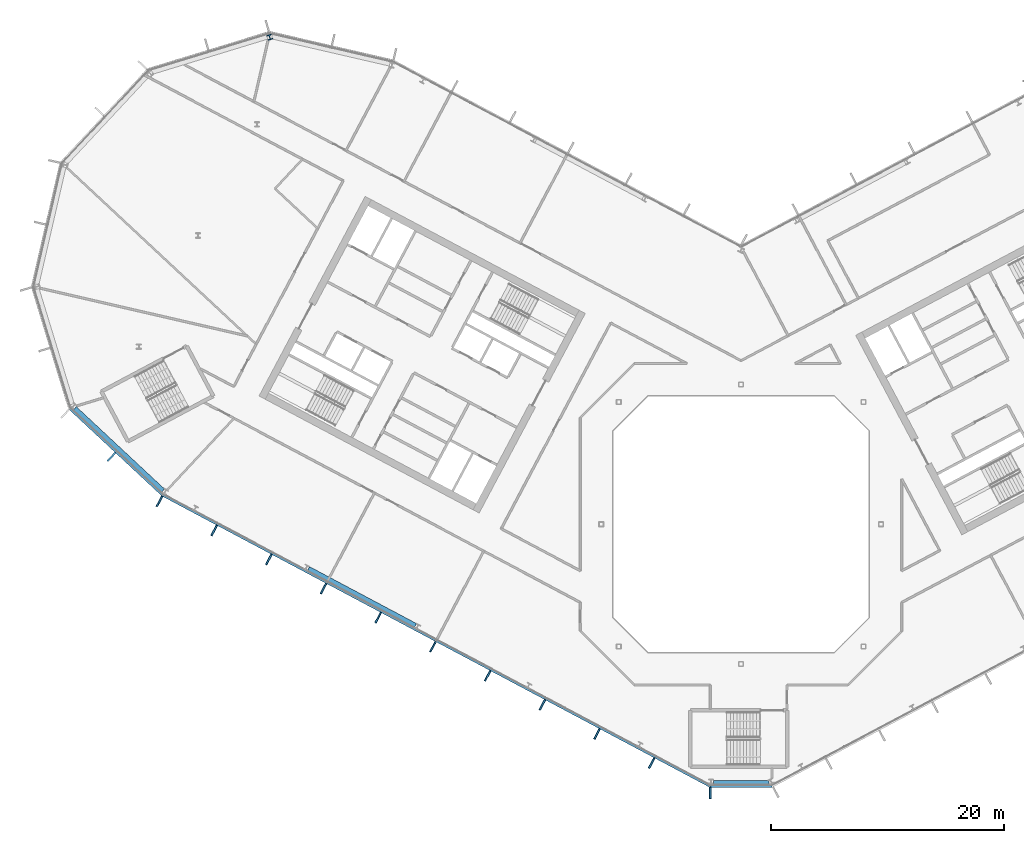
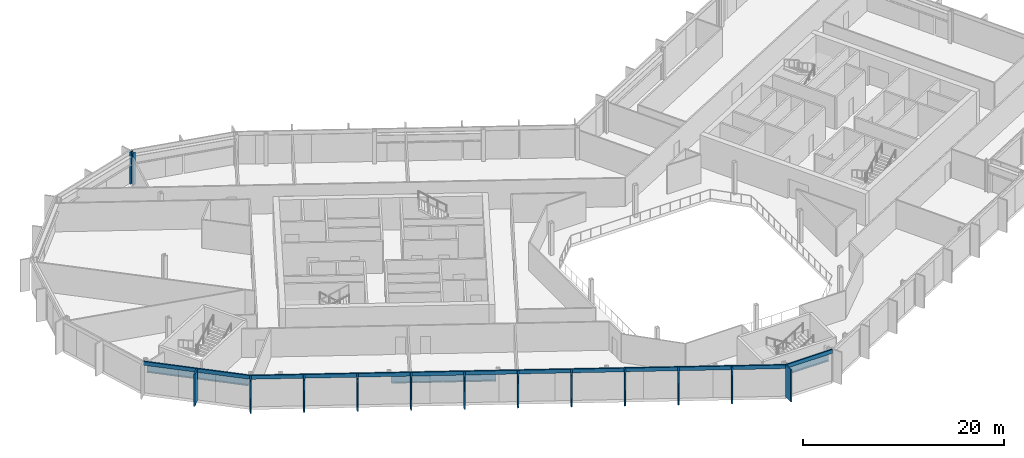
# One storey, part 8 of 26: 15 members, 3 beams, 1 column, 3 elements without a shape of their own.
"""IFC4 building model written with IfcOpenShell, lengths in metres."""

from ifc_helpers import new_model, si_unit, direction, frame, origin, origin_2d, place, context, subcontext, project, spatial, rectangle, i_section, extrude, material, layer, layer_set, material_profile, profile_set, type_object, element, aggregate, save


model = new_model("IFC4")

# Units and contexts
model_context = context("Model", 3, precision=1e-05, world=origin(), true_north=direction((0.0, 1.0)))
body_context = subcontext(model_context, "Body", "Model", "MODEL_VIEW")
ifc_project = project(units=[si_unit("LENGTHUNIT", "METRE"), si_unit("AREAUNIT", "SQUARE_METRE"), si_unit("VOLUMEUNIT", "CUBIC_METRE"), si_unit("PLANEANGLEUNIT", "RADIAN"), si_unit("MASSUNIT", "GRAM", prefix="KILO")], contexts=[model_context])

# Site, building, storey
site_placement = place(None, origin())
site = spatial("IfcSite", under=ifc_project, at=site_placement, CompositionType="ELEMENT")
building_placement = place(site_placement, origin())
building = spatial("IfcBuilding", under=site, at=building_placement, Name="Cormorant Relay Tower", CompositionType="ELEMENT")
storey_placement = place(building_placement, frame((0.0, 0.0, 248.10009765625)))
storey = spatial("IfcBuildingStorey", under=building, at=storey_placement, Name="L55", CompositionType="ELEMENT", Elevation=248.10009765625)

# Column
ifc_material_1 = material(Name="Steel ASTM A992 (Fy 345 MPa)", Category="steel")
ifc_material_profile_1 = material_profile(ifc_material_1, i_section(OverallWidth=0.41162109375, OverallDepth=0.434326171875, WebThickness=0.035888671875, FlangeThickness=0.057373046875, FilletRadius=0.01513671875, at=origin_2d()), Name="W360x463")
ifc_profile_set_1 = profile_set([ifc_material_profile_1], Name="Steel ASTM A992 (Fy 345 MPa)")
column_type = type_object("IfcColumnType", Name="Column W360x463", PredefinedType="COLUMN", material=ifc_profile_set_1)
column_placement = place(storey_placement, frame((-40.455078125, 41.803955078125, 0.0), z_axis=(0.0, 0.0, 1.0), x_axis=(-0.956304755963, -0.292371704723, 0.0)))
element("IfcColumn", 1, at=column_placement, inside=storey, type_object=column_type, Name="Column L55-045", PredefinedType="COLUMN", context=body_context, shape_type="SweptSolid", body=[
    extrude(i_section(OverallWidth=0.41162109375, OverallDepth=0.434326171875, WebThickness=0.035888671875, FlangeThickness=0.057373046875, FilletRadius=0.01513671875, at=origin_2d()), origin(), (0.0, 0.0, 1.0), 3.89990234375),
])

# Curtain wall, member
ifc_material_2 = material(Name="Aluminium 6063-T6 anodised bronze", Category="aluminium")
ifc_layer = layer(ifc_material_2, 0.199951171875)
ifc_layer_set = layer_set([ifc_layer], Name="CW1 unitised bronze curtain wall with vertical fins")
curtain_wall_type = type_object("IfcCurtainWallType", Name="CW1 unitised bronze curtain wall with vertical fins", PredefinedType="NOTDEFINED", material=ifc_layer_set)
curtain_wall_1_placement = place(storey_placement, origin())
curtain_wall_1 = element("IfcCurtainWall", 2, at=curtain_wall_1_placement, inside=storey, type_object=curtain_wall_type, Name="CW1 curtain wall 1", PredefinedType="NOTDEFINED")
ifc_material_3 = material(Name="Aluminium 6063-T6 anodised bronze", Category="aluminium")
ifc_material_profile_2 = material_profile(ifc_material_3, rectangle(XDim=0.14990234375, YDim=1.0, at=origin_2d()), Name="AL 150x1000")
ifc_profile_set_2 = profile_set([ifc_material_profile_2], Name="Aluminium 6063-T6 anodised bronze")
member_type_1 = type_object("IfcMemberType", Name="CW1 bronze fin mullion 150 x 1000", PredefinedType="MULLION", material=ifc_profile_set_2)
member_1_placement = place(storey_placement, frame((-2.648681640625, -23.07568359375, 0.0), z_axis=(0.0, 0.0, 1.0), x_axis=(1.0, 0.0, 0.0)))
member_1 = element("IfcMember", 3, at=member_1_placement, type_object=member_type_1, Name="CW1 fin 1.1", PredefinedType="MULLION", context=body_context, shape_type="SweptSolid", body=[
    extrude(rectangle(XDim=0.14990234375, YDim=1.0, at=origin_2d()), origin(), (0.0, 0.0, 1.0), 3.89990234375),
])

curtain_wall_2_placement = place(storey_placement, origin())
curtain_wall_2 = element("IfcCurtainWall", 4, at=curtain_wall_2_placement, inside=storey, type_object=curtain_wall_type, Name="CW1 curtain wall 15", PredefinedType="NOTDEFINED")
member_2_placement = place(storey_placement, frame((-54.0439453125, 5.779296875, 0.0), z_axis=(0.0, 0.0, 1.0), x_axis=(0.731353701619, -0.681998360062, 0.0)))
member_2 = element("IfcMember", 5, at=member_2_placement, type_object=member_type_1, Name="CW1 fin 15.2", PredefinedType="MULLION", context=body_context, shape_type="SweptSolid", body=[
    extrude(rectangle(XDim=0.14990234375, YDim=1.0, at=origin_2d()), origin(), (0.0, 0.0, 1.0), 3.89990234375),
])

# Curtain wall, members
curtain_wall_3_placement = place(storey_placement, origin())
curtain_wall_3 = element("IfcCurtainWall", 6, at=curtain_wall_3_placement, inside=storey, type_object=curtain_wall_type, Name="CW1 curtain wall 16", PredefinedType="NOTDEFINED")
member_3_placement = place(storey_placement, frame((-49.920166015625, 1.96630859375, 0.0), z_axis=(0.0, 0.0, 1.0), x_axis=(0.882947592859, -0.469471562786, 0.0)))
member_3 = element("IfcMember", 7, at=member_3_placement, type_object=member_type_1, Name="CW1 fin 16.1", PredefinedType="MULLION", context=body_context, shape_type="SweptSolid", body=[
    extrude(rectangle(XDim=0.14990234375, YDim=1.0, at=origin_2d()), origin(), (0.0, 0.0, 1.0), 3.89990234375),
])
member_4_placement = place(storey_placement, frame((-45.225830078125, -0.52978515625, 0.0), z_axis=(0.0, 0.0, 1.0), x_axis=(0.882947592859, -0.469471562786, 0.0)))
member_4 = element("IfcMember", 8, at=member_4_placement, type_object=member_type_1, Name="CW1 fin 16.2", PredefinedType="MULLION", context=body_context, shape_type="SweptSolid", body=[
    extrude(rectangle(XDim=0.14990234375, YDim=1.0, at=origin_2d()), origin(), (0.0, 0.0, 1.0), 3.89990234375),
])
member_5_placement = place(storey_placement, frame((-40.531494140625, -3.025634765625, 0.0), z_axis=(0.0, 0.0, 1.0), x_axis=(0.882947592859, -0.469471562786, 0.0)))
member_5 = element("IfcMember", 9, at=member_5_placement, type_object=member_type_1, Name="CW1 fin 16.3", PredefinedType="MULLION", context=body_context, shape_type="SweptSolid", body=[
    extrude(rectangle(XDim=0.14990234375, YDim=1.0, at=origin_2d()), origin(), (0.0, 0.0, 1.0), 3.89990234375),
])
member_6_placement = place(storey_placement, frame((-35.83740234375, -5.521728515625, 0.0), z_axis=(0.0, 0.0, 1.0), x_axis=(0.882947592859, -0.469471562786, 0.0)))
member_6 = element("IfcMember", 10, at=member_6_placement, type_object=member_type_1, Name="CW1 fin 16.4", PredefinedType="MULLION", context=body_context, shape_type="SweptSolid", body=[
    extrude(rectangle(XDim=0.14990234375, YDim=1.0, at=origin_2d()), origin(), (0.0, 0.0, 1.0), 3.89990234375),
])
member_7_placement = place(storey_placement, frame((-31.14306640625, -8.017578125, 0.0), z_axis=(0.0, 0.0, 1.0), x_axis=(0.882947592859, -0.469471562786, 0.0)))
member_7 = element("IfcMember", 11, at=member_7_placement, type_object=member_type_1, Name="CW1 fin 16.5", PredefinedType="MULLION", context=body_context, shape_type="SweptSolid", body=[
    extrude(rectangle(XDim=0.14990234375, YDim=1.0, at=origin_2d()), origin(), (0.0, 0.0, 1.0), 3.89990234375),
])
member_8_placement = place(storey_placement, frame((-26.44873046875, -10.513671875, 0.0), z_axis=(0.0, 0.0, 1.0), x_axis=(0.882947592859, -0.469471562786, 0.0)))
member_8 = element("IfcMember", 12, at=member_8_placement, type_object=member_type_1, Name="CW1 fin 16.6", PredefinedType="MULLION", context=body_context, shape_type="SweptSolid", body=[
    extrude(rectangle(XDim=0.14990234375, YDim=1.0, at=origin_2d()), origin(), (0.0, 0.0, 1.0), 3.89990234375),
])
member_9_placement = place(storey_placement, frame((-21.754638671875, -13.009765625, 0.0), z_axis=(0.0, 0.0, 1.0), x_axis=(0.882947592859, -0.469471562786, 0.0)))
member_9 = element("IfcMember", 13, at=member_9_placement, type_object=member_type_1, Name="CW1 fin 16.7", PredefinedType="MULLION", context=body_context, shape_type="SweptSolid", body=[
    extrude(rectangle(XDim=0.14990234375, YDim=1.0, at=origin_2d()), origin(), (0.0, 0.0, 1.0), 3.89990234375),
])
member_10_placement = place(storey_placement, frame((-17.060302734375, -15.505615234375, 0.0), z_axis=(0.0, 0.0, 1.0), x_axis=(0.882947592859, -0.469471562786, 0.0)))
member_10 = element("IfcMember", 14, at=member_10_placement, type_object=member_type_1, Name="CW1 fin 16.8", PredefinedType="MULLION", context=body_context, shape_type="SweptSolid", body=[
    extrude(rectangle(XDim=0.14990234375, YDim=1.0, at=origin_2d()), origin(), (0.0, 0.0, 1.0), 3.89990234375),
])
member_11_placement = place(storey_placement, frame((-12.365966796875, -18.001708984375, 0.0), z_axis=(0.0, 0.0, 1.0), x_axis=(0.882947592859, -0.469471562786, 0.0)))
member_11 = element("IfcMember", 15, at=member_11_placement, type_object=member_type_1, Name="CW1 fin 16.9", PredefinedType="MULLION", context=body_context, shape_type="SweptSolid", body=[
    extrude(rectangle(XDim=0.14990234375, YDim=1.0, at=origin_2d()), origin(), (0.0, 0.0, 1.0), 3.89990234375),
])
member_12_placement = place(storey_placement, frame((-7.671630859375, -20.49755859375, 0.0), z_axis=(0.0, 0.0, 1.0), x_axis=(0.882947592859, -0.469471562786, 0.0)))
member_12 = element("IfcMember", 16, at=member_12_placement, type_object=member_type_1, Name="CW1 fin 16.10", PredefinedType="MULLION", context=body_context, shape_type="SweptSolid", body=[
    extrude(rectangle(XDim=0.14990234375, YDim=1.0, at=origin_2d()), origin(), (0.0, 0.0, 1.0), 3.89990234375),
])

# Member
ifc_material_4 = material(Name="Aluminium 6063-T6 anodised bronze", Category="aluminium")
ifc_material_profile_3 = material_profile(ifc_material_4, rectangle(XDim=0.159912109375, YDim=0.449951171875, at=origin_2d()), Name="AL 160x450")
ifc_profile_set_3 = profile_set([ifc_material_profile_3], Name="Aluminium 6063-T6 anodised bronze")
member_type_2 = type_object("IfcMemberType", Name="CW1 bronze transom 160 x 450", PredefinedType="USERDEFINED", material=ifc_profile_set_3)
member_13_placement = place(storey_placement, frame((-2.648681640625, -22.49560546875, 3.6748046875), z_axis=(1.0, 0.0, 0.0), x_axis=(0.0, 1.0, 0.0)))
member_13 = element("IfcMember", 17, at=member_13_placement, type_object=member_type_2, Name="CW1 transom 1", ObjectType="TRANSOM", PredefinedType="USERDEFINED", context=body_context, shape_type="SweptSolid", body=[
    extrude(rectangle(XDim=0.159912109375, YDim=0.449951171875, at=origin_2d()), origin(), (0.0, 0.0, 1.0), 5.29736328125),
])

aggregate(curtain_wall_1, [member_1, member_13])

member_14_placement = place(storey_placement, frame((-57.62353515625, 9.91015625, 3.6748046875), z_axis=(0.731358420696, -0.681993299437, 0.0), x_axis=(0.681993299437, 0.731358420696, 0.0)))
member_14 = element("IfcMember", 18, at=member_14_placement, type_object=member_type_2, Name="CW1 transom 15", ObjectType="TRANSOM", PredefinedType="USERDEFINED", context=body_context, shape_type="SweptSolid", body=[
    extrude(rectangle(XDim=0.159912109375, YDim=0.449951171875, at=origin_2d()), origin(), (0.0, 0.0, 1.0), 10.870361328125),
])

aggregate(curtain_wall_2, [member_2, member_14])

member_15_placement = place(storey_placement, frame((-49.64794921875, 2.478515625, 3.6748046875), z_axis=(0.882947642542, -0.469471469346, 0.0), x_axis=(0.469471469346, 0.882947642542, 0.0)))
member_15 = element("IfcMember", 19, at=member_15_placement, type_object=member_type_2, Name="CW1 transom 16", ObjectType="TRANSOM", PredefinedType="USERDEFINED", context=body_context, shape_type="SweptSolid", body=[
    extrude(rectangle(XDim=0.159912109375, YDim=0.449951171875, at=origin_2d()), origin(), (0.0, 0.0, 1.0), 53.166015625),
])

aggregate(curtain_wall_3, [member_3, member_4, member_5, member_6, member_7, member_8, member_9, member_10, member_11, member_12, member_15])

# Beams
ifc_material_5 = material(Name="Steel ASTM A992 (Fy 345 MPa)", Category="steel")
ifc_material_profile_4 = material_profile(ifc_material_5, i_section(OverallWidth=0.4013671875, OverallDepth=0.990478515625, WebThickness=0.0166015625, FlangeThickness=0.031005859375, FilletRadius=0.030029296875, at=origin_2d()), Name="W1000x320")
ifc_profile_set_4 = profile_set([ifc_material_profile_4], Name="Steel ASTM A992 (Fy 345 MPa)")
beam_type = type_object("IfcBeamType", Name="Spandrel W1000x320", PredefinedType="SPANDREL", material=ifc_profile_set_4)
beam_1_placement = place(storey_placement, frame((-2.3701171875, -22.1748046875, 2.95458984375), z_axis=(1.0, 0.0, 0.0), x_axis=(0.0, 1.0, 0.0)))
element("IfcBeam", 20, at=beam_1_placement, inside=storey, type_object=beam_type, Name="Spandrel beam L55-001", PredefinedType="SPANDREL", context=body_context, shape_type="SweptSolid", body=[
    extrude(i_section(OverallWidth=0.4013671875, OverallDepth=0.990478515625, WebThickness=0.0166015625, FlangeThickness=0.031005859375, FilletRadius=0.030029296875, at=origin_2d()), origin(), (0.0, 0.0, 1.0), 4.761474609375),
])
beam_2_placement = place(storey_placement, frame((-57.19580078125, 9.94970703125, 2.95458984375), z_axis=(0.731351589689, -0.682000624824, 0.0), x_axis=(0.682000624824, 0.731351589689, 0.0)))
element("IfcBeam", 21, at=beam_2_placement, inside=storey, type_object=beam_type, Name="Spandrel beam L55-015", PredefinedType="SPANDREL", context=body_context, shape_type="SweptSolid", body=[
    extrude(i_section(OverallWidth=0.4013671875, OverallDepth=0.990478515625, WebThickness=0.0166015625, FlangeThickness=0.031005859375, FilletRadius=0.030029296875, at=origin_2d()), origin(), (0.0, 0.0, 1.0), 10.354248046875),
])
beam_3_placement = place(storey_placement, frame((-37.134033203125, -3.812255859375, 2.95458984375), z_axis=(0.882949648898, -0.469467695918, 0.0), x_axis=(0.469467695918, 0.882949648898, 0.0)))
element("IfcBeam", 22, at=beam_3_placement, inside=storey, type_object=beam_type, Name="Spandrel beam L55-016", PredefinedType="SPANDREL", context=body_context, shape_type="SweptSolid", body=[
    extrude(i_section(OverallWidth=0.4013671875, OverallDepth=0.990478515625, WebThickness=0.0166015625, FlangeThickness=0.031005859375, FilletRadius=0.030029296875, at=origin_2d()), origin(), (0.0, 0.0, 1.0), 10.39599609375),
])

save(model, "model.ifc")
